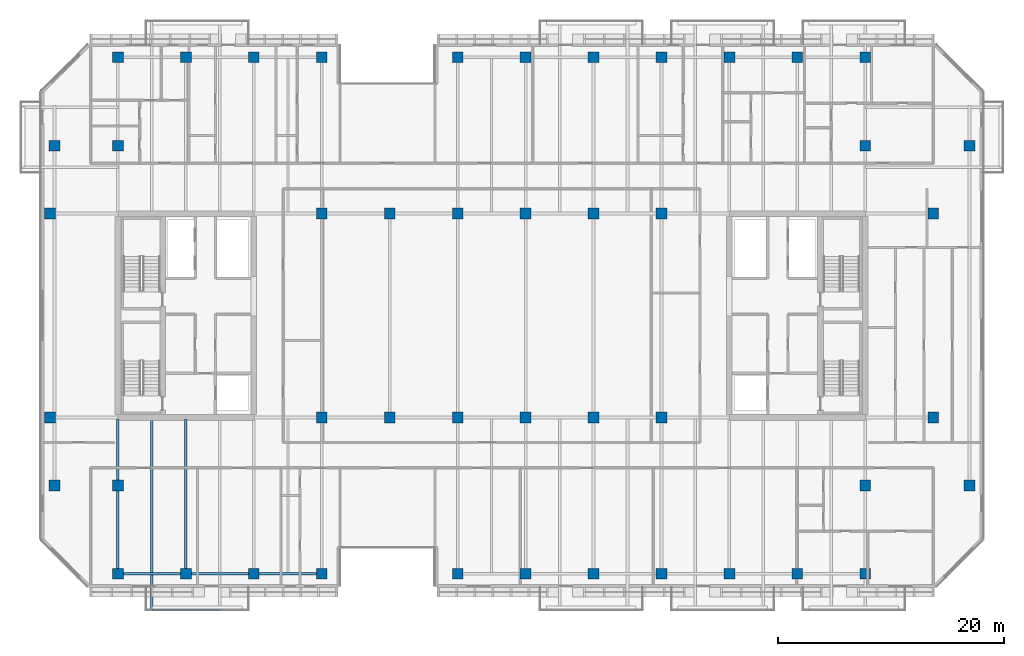
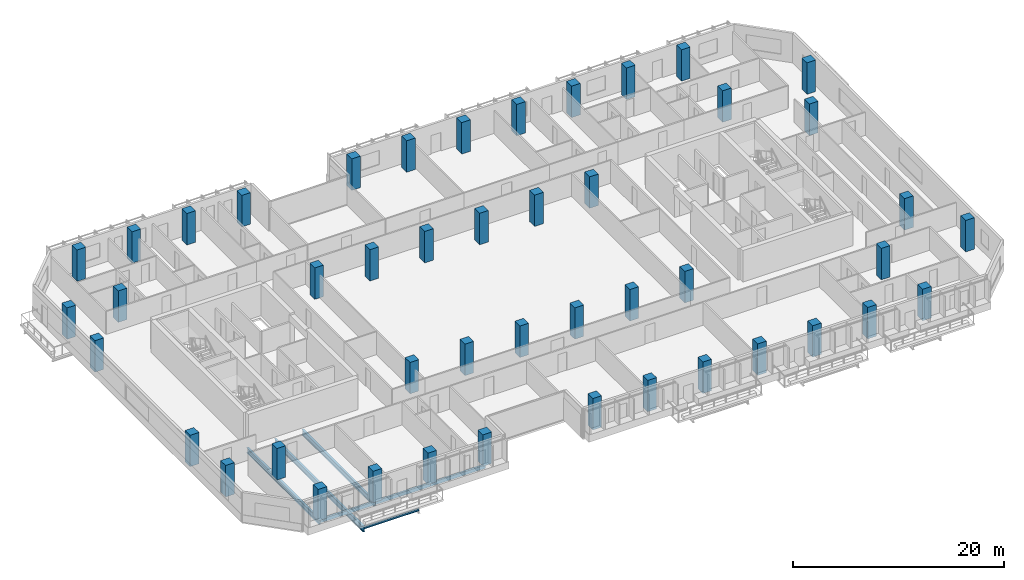
# One storey, part 1 of 22: 46 columns, 7 beams.
"""IFC4 building model written with IfcOpenShell, lengths in metres."""

from ifc_helpers import new_model, si_unit, direction, frame, origin, origin_2d, place, context, subcontext, project, spatial, rectangle, hollow_rectangle, i_section, extrude, material, material_profile, profile_set, type_object, element, save


model = new_model("IFC4")

# Units and contexts
model_context = context("Model", 3, precision=1e-05, world=origin(), true_north=direction((0.0, 1.0)))
body_context = subcontext(model_context, "Body", "Model", "MODEL_VIEW")
ifc_project = project(units=[si_unit("LENGTHUNIT", "METRE"), si_unit("AREAUNIT", "SQUARE_METRE"), si_unit("VOLUMEUNIT", "CUBIC_METRE"), si_unit("PLANEANGLEUNIT", "RADIAN"), si_unit("MASSUNIT", "GRAM", prefix="KILO")], contexts=[model_context])

# Site, building, storey
site_placement = place(None, origin())
site = spatial("IfcSite", under=ifc_project, at=site_placement, CompositionType="ELEMENT")
building_placement = place(site_placement, origin())
building = spatial("IfcBuilding", under=site, at=building_placement, Name="Tanjung Sevakor Pilgrim Tower", CompositionType="ELEMENT")
storey_placement = place(building_placement, frame((0.0, 0.0, 115.830078125)))
storey = spatial("IfcBuildingStorey", under=building, at=storey_placement, Name="L32", CompositionType="ELEMENT", Elevation=115.830078125)

# Columns
ifc_material_1 = material(Name="Concrete C60/75", Category="concrete")
ifc_material_profile_1 = material_profile(ifc_material_1, rectangle(XDim=0.949951171875, YDim=0.949951171875, at=origin_2d()))
ifc_profile_set_1 = profile_set([ifc_material_profile_1], Name="Concrete C60/75")
column_type = type_object("IfcColumnType", Name="COL-C-T950-RC_950x950", PredefinedType="COLUMN", material=ifc_profile_set_1)
for number, where, z_axis, x_axis, name in (
    (1, (18.0, 24.60009765625, 0.0), (0.0, 0.0, 1.0), (1.0, 0.0, 0.0), "L32 Column SPW-018-246"),
    (2, (18.0, 42.60009765625, 0.0), (0.0, 0.0, 1.0), (1.0, 0.0, 0.0), "L32 Column SPW-018-426"),
    (3, (42.0, 24.60009765625, 0.0), (0.0, 0.0, 1.0), (1.0, 0.0, 0.0), "L32 Column SPW-042-246"),
    (4, (42.0, 42.60009765625, 0.0), (0.0, 0.0, 1.0), (1.0, 0.0, 0.0), "L32 Column SPW-042-426"),
    (5, (48.0, 24.60009765625, 0.0), (0.0, 0.0, 1.0), (1.0, 0.0, 0.0), "L32 Column SPW-048-246"),
    (6, (48.0, 42.60009765625, 0.0), (0.0, 0.0, 1.0), (1.0, 0.0, 0.0), "L32 Column SPW-048-426"),
    (7, (54.0, 24.60009765625, 0.0), (0.0, 0.0, 1.0), (1.0, 0.0, 0.0), "L32 Column SPE-054-246"),
    (8, (54.0, 42.60009765625, 0.0), (0.0, 0.0, 1.0), (1.0, 0.0, 0.0), "L32 Column SPE-054-426"),
    (9, (60.0, 24.60009765625, 0.0), (0.0, 0.0, 1.0), (1.0, 0.0, 0.0), "L32 Column SPE-060-246"),
    (10, (60.0, 42.60009765625, 0.0), (0.0, 0.0, 1.0), (1.0, 0.0, 0.0), "L32 Column SPE-060-426"),
    (11, (66.0, 24.60009765625, 0.0), (0.0, 0.0, 1.0), (1.0, 0.0, 0.0), "L32 Column SPE-066-246"),
    (12, (66.0, 42.60009765625, 0.0), (0.0, 0.0, 1.0), (1.0, 0.0, 0.0), "L32 Column SPE-066-426"),
    (13, (72.0, 24.60009765625, 0.0), (0.0, 0.0, 1.0), (1.0, 0.0, 0.0), "L32 Column SPE-072-246"),
    (14, (72.0, 42.60009765625, 0.0), (0.0, 0.0, 1.0), (1.0, 0.0, 0.0), "L32 Column SPE-072-426"),
    (15, (96.0, 24.60009765625, 0.0), (0.0, 0.0, 1.0), (1.0, 0.0, 0.0), "L32 Column SPE-096-246"),
    (16, (96.0, 42.60009765625, 0.0), (0.0, 0.0, 1.0), (1.0, 0.0, 0.0), "L32 Column SPE-096-426"),
    (17, (18.39990234375, 18.60009765625, 0.0), (0.0, 0.0, 1.0), (1.0, 0.0, 0.0), "L32 Column TCE-0184-186"),
    (18, (18.39990234375, 48.60009765625, 0.0), (0.0, 0.0, 1.0), (1.0, 0.0, 0.0), "L32 Column TCE-0184-486"),
    (19, (24.0, 18.60009765625, 0.0), (0.0, 0.0, 1.0), (1.0, 0.0, 0.0), "L32 Column TCE-0240-186"),
    (20, (24.0, 48.60009765625, 0.0), (0.0, 0.0, 1.0), (1.0, 0.0, 0.0), "L32 Column TCE-0240-486"),
    (21, (90.0, 18.60009765625, 0.0), (0.0, 0.0, 1.0), (1.0, 0.0, 0.0), "L32 Column TCE-0900-186"),
    (22, (90.0, 48.60009765625, 0.0), (0.0, 0.0, 1.0), (1.0, 0.0, 0.0), "L32 Column TCE-0900-486"),
    (23, (99.199951171875, 18.60009765625, 0.0), (0.0, 0.0, 1.0), (1.0, 0.0, 0.0), "L32 Column TCE-0992-186"),
    (24, (99.199951171875, 48.60009765625, 0.0), (0.0, 0.0, 1.0), (1.0, 0.0, 0.0), "L32 Column TCE-0992-486"),
    (25, (24.0, 10.800048828125, 0.0), (0.0, 0.0, 1.0), (1.0, 0.0, 0.0), "L32 Column TC2-024-108"),
    (26, (24.0, 56.39990234375, 0.0), (0.0, 0.0, 1.0), (1.0, 0.0, 0.0), "L32 Column TC2-024-564"),
    (27, (30.0, 10.800048828125, 0.0), (0.0, 0.0, 1.0), (1.0, 0.0, 0.0), "L32 Column TC2-030-108"),
    (28, (30.0, 56.39990234375, 0.0), (0.0, 0.0, 1.0), (1.0, 0.0, 0.0), "L32 Column TC2-030-564"),
    (29, (36.0, 10.800048828125, 0.0), (0.0, 0.0, 1.0), (1.0, 0.0, 0.0), "L32 Column TC2-036-108"),
    (30, (36.0, 56.39990234375, 0.0), (0.0, 0.0, 1.0), (1.0, 0.0, 0.0), "L32 Column TC2-036-564"),
    (31, (42.0, 10.800048828125, 0.0), (0.0, 0.0, 1.0), (1.0, 0.0, 0.0), "L32 Column TC2-042-108"),
    (32, (42.0, 56.39990234375, 0.0), (0.0, 0.0, 1.0), (1.0, 0.0, 0.0), "L32 Column TC2-042-564"),
    (33, (54.0, 10.800048828125, 0.0), (0.0, 0.0, 1.0), (1.0, 0.0, 0.0), "L32 Column TC2-054-108"),
    (34, (54.0, 56.39990234375, 0.0), (0.0, 0.0, 1.0), (1.0, 0.0, 0.0), "L32 Column TC2-054-564"),
    (35, (60.0, 10.800048828125, 0.0), (0.0, 0.0, 1.0), (1.0, 0.0, 0.0), "L32 Column TC2-060-108"),
    (36, (60.0, 56.39990234375, 0.0), (0.0, 0.0, 1.0), (1.0, 0.0, 0.0), "L32 Column TC2-060-564"),
    (37, (66.0, 10.800048828125, 0.0), (0.0, 0.0, 1.0), (1.0, 0.0, 0.0), "L32 Column TC2-066-108"),
    (38, (66.0, 56.39990234375, 0.0), (0.0, 0.0, 1.0), (1.0, 0.0, 0.0), "L32 Column TC2-066-564"),
    (39, (72.0, 10.800048828125, 0.0), (0.0, 0.0, 1.0), (1.0, 0.0, 0.0), "L32 Column TC2-072-108"),
    (40, (72.0, 56.39990234375, 0.0), (0.0, 0.0, 1.0), (1.0, 0.0, 0.0), "L32 Column TC2-072-564"),
    (41, (78.0, 10.800048828125, 0.0), (0.0, 0.0, 1.0), (1.0, 0.0, 0.0), "L32 Column TC2-078-108"),
    (42, (78.0, 56.39990234375, 0.0), (0.0, 0.0, 1.0), (1.0, 0.0, 0.0), "L32 Column TC2-078-564"),
    (43, (84.0, 10.800048828125, 0.0), (0.0, 0.0, 1.0), (1.0, 0.0, 0.0), "L32 Column TC2-084-108"),
    (44, (84.0, 56.39990234375, 0.0), (0.0, 0.0, 1.0), (1.0, 0.0, 0.0), "L32 Column TC2-084-564"),
    (45, (90.0, 10.800048828125, 0.0), (0.0, 0.0, 1.0), (1.0, 0.0, 0.0), "L32 Column TC2-090-108"),
    (46, (90.0, 56.39990234375, 0.0), (0.0, 0.0, 1.0), (1.0, 0.0, 0.0), "L32 Column TC2-090-564"),
):
    element("IfcColumn", number, at=place(storey_placement, frame(where, z_axis=z_axis, x_axis=x_axis)), inside=storey, type_object=column_type, Name=name, PredefinedType="COLUMN", context=body_context, shape_type="SweptSolid", body=[
        extrude(rectangle(XDim=0.949951171875, YDim=0.949951171875, at=origin_2d()), origin(), (0.0, 0.0, 1.0), 3.6298828125),
    ])

# Beams
ifc_material_2 = material(Name="Steel S355J2", Category="steel")
ifc_material_profile_2 = material_profile(ifc_material_2, i_section(OverallWidth=0.230224609375, OverallDepth=0.6171875, WebThickness=0.01318359375, FlangeThickness=0.022216796875, FilletRadius=0.0126953125, at=origin_2d()))
ifc_profile_set_2 = profile_set([ifc_material_profile_2], Name="Steel S355J2")
beam_type_1 = type_object("IfcBeamType", Name="BM-B-G3-UB_610x229x140", PredefinedType="BEAM", material=ifc_profile_set_2)
for number, where, z_axis, x_axis, name in (
    (47, (24.0, 10.800048828125, -0.528564453125), (0.0, 1.0, 0.0), (-1.0, 0.0, 0.0), "L32 MAIN Girder 001"),
    (48, (30.0, 10.800048828125, -0.528564453125), (0.0, 1.0, 0.0), (-1.0, 0.0, 0.0), "L32 MAIN Girder 003"),
):
    element("IfcBeam", number, at=place(storey_placement, frame(where, z_axis=z_axis, x_axis=x_axis)), inside=storey, type_object=beam_type_1, Name=name, PredefinedType="BEAM", context=body_context, shape_type="SweptSolid", body=[
        extrude(i_section(OverallWidth=0.230224609375, OverallDepth=0.6171875, WebThickness=0.01318359375, FlangeThickness=0.022216796875, FilletRadius=0.0126953125, at=origin_2d()), origin(), (0.0, 0.0, 1.0), 13.672607421875),
    ])
ifc_material_3 = material(Name="Steel S355J2", Category="steel")
ifc_material_profile_3 = material_profile(ifc_material_3, i_section(OverallWidth=0.22900390625, OverallDepth=0.6123046875, WebThickness=0.011962890625, FlangeThickness=0.01953125, FilletRadius=0.0126953125, at=origin_2d()))
ifc_profile_set_3 = profile_set([ifc_material_profile_3], Name="Steel S355J2")
beam_type_2 = type_object("IfcBeamType", Name="BM-B-G4-UB_610x229x125", PredefinedType="BEAM", material=ifc_profile_set_3)
beam_1_placement = place(storey_placement, frame((27.0, 24.47265625, -0.526123046875), z_axis=(0.0, -1.0, 0.0), x_axis=(1.0, 0.0, 0.0)))
element("IfcBeam", 49, at=beam_1_placement, inside=storey, type_object=beam_type_2, Name="L32 Balcony Cantilever Beam MAIN-S1-1", PredefinedType="BEAM", context=body_context, shape_type="SweptSolid", body=[
    extrude(i_section(OverallWidth=0.22900390625, OverallDepth=0.6123046875, WebThickness=0.011962890625, FlangeThickness=0.01953125, FilletRadius=0.0126953125, at=origin_2d()), origin(), (0.0, 0.0, 1.0), 16.8525390625),
])
ifc_material_4 = material(Name="Steel S355J2", Category="steel")
ifc_material_profile_4 = material_profile(ifc_material_4, i_section(OverallWidth=0.146484375, OverallDepth=0.256103515625, WebThickness=0.00634765625, FlangeThickness=0.010986328125, FilletRadius=0.007568359375, at=origin_2d()))
ifc_profile_set_4 = profile_set([ifc_material_profile_4], Name="Steel S355J2")
beam_type_3 = type_object("IfcBeamType", Name="BM-B-J6-UB_254x146x37", PredefinedType="JOIST", material=ifc_profile_set_4)
beam_2_placement = place(storey_placement, frame((27.0, 7.6201171875, -0.328125), z_axis=(1.0, 0.0, 0.0), x_axis=(0.0, 1.0, 0.0)))
element("IfcBeam", 50, at=beam_2_placement, inside=storey, type_object=beam_type_3, Name="L32 Balcony Rim Tie MAIN-S1", PredefinedType="JOIST", context=body_context, shape_type="SweptSolid", body=[
    extrude(i_section(OverallWidth=0.146484375, OverallDepth=0.256103515625, WebThickness=0.00634765625, FlangeThickness=0.010986328125, FilletRadius=0.007568359375, at=origin_2d()), origin(), (0.0, 0.0, 1.0), 6.0),
])
ifc_material_5 = material(Name="Steel S355J2", Category="steel")
ifc_material_profile_5 = material_profile(ifc_material_5, hollow_rectangle(XDim=0.199951171875, YDim=0.39990234375, WallThickness=0.01611328125, at=origin_2d()))
ifc_profile_set_5 = profile_set([ifc_material_profile_5], Name="Steel S355J2")
beam_type_4 = type_object("IfcBeamType", Name="BM-B-SP2-RHS_400x200x16", PredefinedType="SPANDREL", material=ifc_profile_set_5)
for number, where, z_axis, x_axis, name in (
    (51, (24.0, 10.800048828125, -0.420166015625), (1.0, 0.0, 0.0), (0.0, 1.0, 0.0), "L32 Spandrel MAIN S-01"),
    (52, (30.0, 10.800048828125, -0.420166015625), (1.0, 0.0, 0.0), (0.0, 1.0, 0.0), "L32 Spandrel MAIN S-03"),
    (53, (36.0, 10.800048828125, -0.420166015625), (1.0, 0.0, 0.0), (0.0, 1.0, 0.0), "L32 Spandrel MAIN S-05"),
):
    element("IfcBeam", number, at=place(storey_placement, frame(where, z_axis=z_axis, x_axis=x_axis)), inside=storey, type_object=beam_type_4, Name=name, PredefinedType="SPANDREL", context=body_context, shape_type="SweptSolid", body=[
        extrude(hollow_rectangle(XDim=0.199951171875, YDim=0.39990234375, WallThickness=0.01611328125, at=origin_2d()), origin(), (0.0, 0.0, 1.0), 6.0),
    ])

save(model, "model.ifc")
